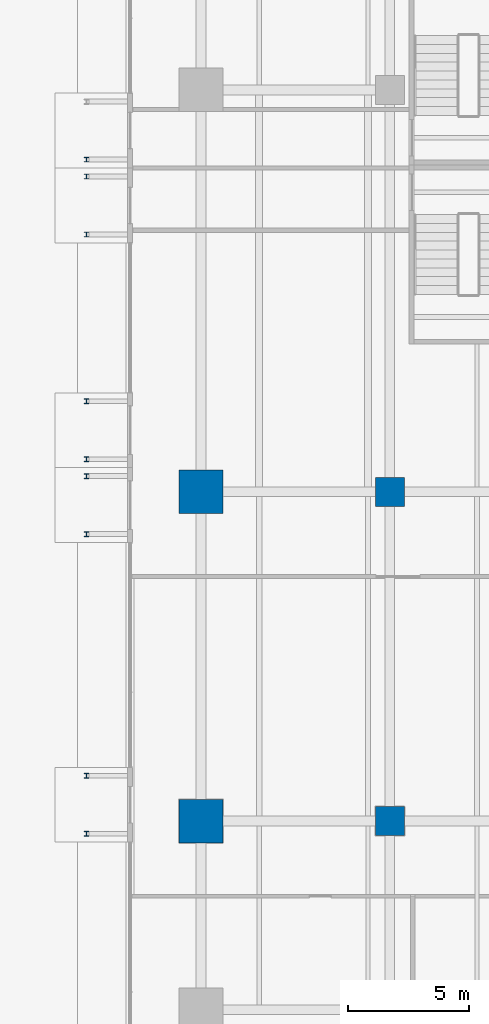
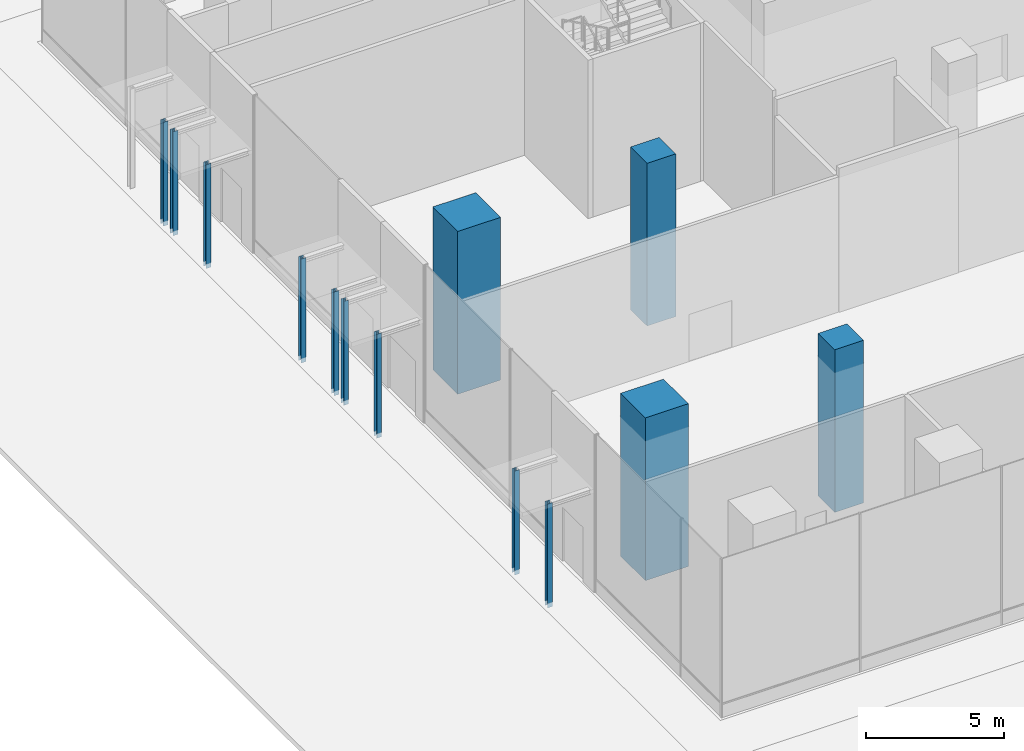
# One storey, part 4 of 41: 13 columns.
"""IFC4 building model written with IfcOpenShell, lengths in metres."""

from ifc_helpers import new_model, si_unit, direction, frame, origin, origin_2d, place, context, subcontext, project, spatial, rectangle, i_section, extrude, material, material_profile, profile_set, type_object, element, save


model = new_model("IFC4")

# Units and contexts
model_context = context("Model", 3, precision=1e-05, world=origin(), true_north=direction((0.0, 1.0)))
body_context = subcontext(model_context, "Body", "Model", "MODEL_VIEW")
ifc_project = project(units=[si_unit("LENGTHUNIT", "METRE"), si_unit("AREAUNIT", "SQUARE_METRE"), si_unit("VOLUMEUNIT", "CUBIC_METRE"), si_unit("PLANEANGLEUNIT", "RADIAN"), si_unit("MASSUNIT", "GRAM", prefix="KILO")], contexts=[model_context])

# Site, building, storey
site_placement = place(None, origin())
site = spatial("IfcSite", under=ifc_project, at=site_placement, CompositionType="ELEMENT")
building_placement = place(site_placement, origin())
building = spatial("IfcBuilding", under=site, at=building_placement, Name="Rattan Terrace Tower", CompositionType="ELEMENT")
storey_placement = place(building_placement, origin())
storey = spatial("IfcBuildingStorey", under=building, at=storey_placement, Name="L00", CompositionType="ELEMENT", Elevation=0.0)

# Columns
ifc_material_1 = material(Name="Structural steel S355", Category="steel")
ifc_material_profile_1 = material_profile(ifc_material_1, i_section(OverallWidth=0.199951171875, OverallDepth=0.199951171875, WebThickness=0.009033203125, FlangeThickness=0.014892578125, FilletRadius=0.01806640625, at=origin_2d()), Name="HE 200 B")
ifc_profile_set_1 = profile_set([ifc_material_profile_1], Name="Structural steel S355")
column_type_1 = type_object("IfcColumnType", Name="Canopy post HE 200 B", PredefinedType="COLUMN", material=ifc_profile_set_1)
for number, where, z_axis, x_axis, name in (
    (1, (-38.6298828125, 0.22412109375, -0.199951171875), (0.0, 0.0, 1.0), (1.0, 0.0, 0.0), "Canopy post 021b"),
    (2, (-38.6298828125, -0.47607421875, -0.199951171875), (0.0, 0.0, 1.0), (1.0, 0.0, 0.0), "Canopy post 026a"),
    (3, (-38.6298828125, -2.8701171875, -0.199951171875), (0.0, 0.0, 1.0), (1.0, 0.0, 0.0), "Canopy post 026b"),
    (4, (-38.6298828125, -9.758056640625, -0.199951171875), (0.0, 0.0, 1.0), (1.0, 0.0, 0.0), "Canopy post 031a"),
    (5, (-38.6298828125, -12.152099609375, -0.199951171875), (0.0, 0.0, 1.0), (1.0, 0.0, 0.0), "Canopy post 031b"),
    (6, (-38.6298828125, -12.85205078125, -0.199951171875), (0.0, 0.0, 1.0), (1.0, 0.0, 0.0), "Canopy post 036a"),
    (7, (-38.6298828125, -15.24609375, -0.199951171875), (0.0, 0.0, 1.0), (1.0, 0.0, 0.0), "Canopy post 036b"),
    (8, (-38.6298828125, -25.22802734375, -0.199951171875), (0.0, 0.0, 1.0), (1.0, 0.0, 0.0), "Canopy post 041a"),
    (9, (-38.6298828125, -27.6220703125, -0.199951171875), (0.0, 0.0, 1.0), (1.0, 0.0, 0.0), "Canopy post 041b"),
):
    element("IfcColumn", number, at=place(storey_placement, frame(where, z_axis=z_axis, x_axis=x_axis)), inside=storey, type_object=column_type_1, Name=name, PredefinedType="COLUMN", context=body_context, shape_type="SweptSolid", body=[
        extrude(i_section(OverallWidth=0.199951171875, OverallDepth=0.199951171875, WebThickness=0.009033203125, FlangeThickness=0.014892578125, FilletRadius=0.01806640625, at=origin_2d()), origin(), (0.0, 0.0, 1.0), 4.599853515625),
    ])
ifc_material_2 = material(Name="Concrete C60/75", Category="concrete")
ifc_material_profile_2 = material_profile(ifc_material_2, rectangle(XDim=1.800048828125, YDim=1.800048828125, at=origin_2d()), Name="CFT 1800x1800")
ifc_profile_set_2 = profile_set([ifc_material_profile_2], Name="Concrete C60/75")
column_type_2 = type_object("IfcColumnType", Name="Frame exoskeleton column CFT 1800x1800", PredefinedType="COLUMN", material=ifc_profile_set_2)
for number, where, z_axis, x_axis, name in (
    (10, (-33.89990234375, -27.10009765625, -0.199951171875), (0.0, 0.0, 1.0), (0.0, 1.0, 0.0), "exo-L00-010"),
    (11, (-33.89990234375, -13.5, -0.199951171875), (0.0, 0.0, 1.0), (0.0, 1.0, 0.0), "exo-L00-012"),
):
    element("IfcColumn", number, at=place(storey_placement, frame(where, z_axis=z_axis, x_axis=x_axis)), inside=storey, type_object=column_type_2, Name=name, PredefinedType="COLUMN", context=body_context, shape_type="SweptSolid", body=[
        extrude(rectangle(XDim=1.800048828125, YDim=1.800048828125, at=origin_2d()), origin(), (0.0, 0.0, 1.0), 7.199951171875),
    ])
ifc_material_3 = material(Name="Concrete C60/75", Category="concrete")
ifc_material_profile_3 = material_profile(ifc_material_3, rectangle(XDim=1.199951171875, YDim=1.199951171875, at=origin_2d()), Name="RC 1200x1200")
ifc_profile_set_3 = profile_set([ifc_material_profile_3], Name="Concrete C60/75")
column_type_3 = type_object("IfcColumnType", Name="Frame interior column RC 1200x1200", PredefinedType="COLUMN", material=ifc_profile_set_3)
for number, where, z_axis, x_axis, name in (
    (12, (-26.10009765625, -27.10009765625, -0.199951171875), (0.0, 0.0, 1.0), (1.0, 0.0, 0.0), "col-L00-001"),
    (13, (-26.10009765625, -13.5, -0.199951171875), (0.0, 0.0, 1.0), (1.0, 0.0, 0.0), "col-L00-006"),
):
    element("IfcColumn", number, at=place(storey_placement, frame(where, z_axis=z_axis, x_axis=x_axis)), inside=storey, type_object=column_type_3, Name=name, PredefinedType="COLUMN", context=body_context, shape_type="SweptSolid", body=[
        extrude(rectangle(XDim=1.199951171875, YDim=1.199951171875, at=origin_2d()), origin(), (0.0, 0.0, 1.0), 7.199951171875),
    ])

save(model, "model.ifc")
